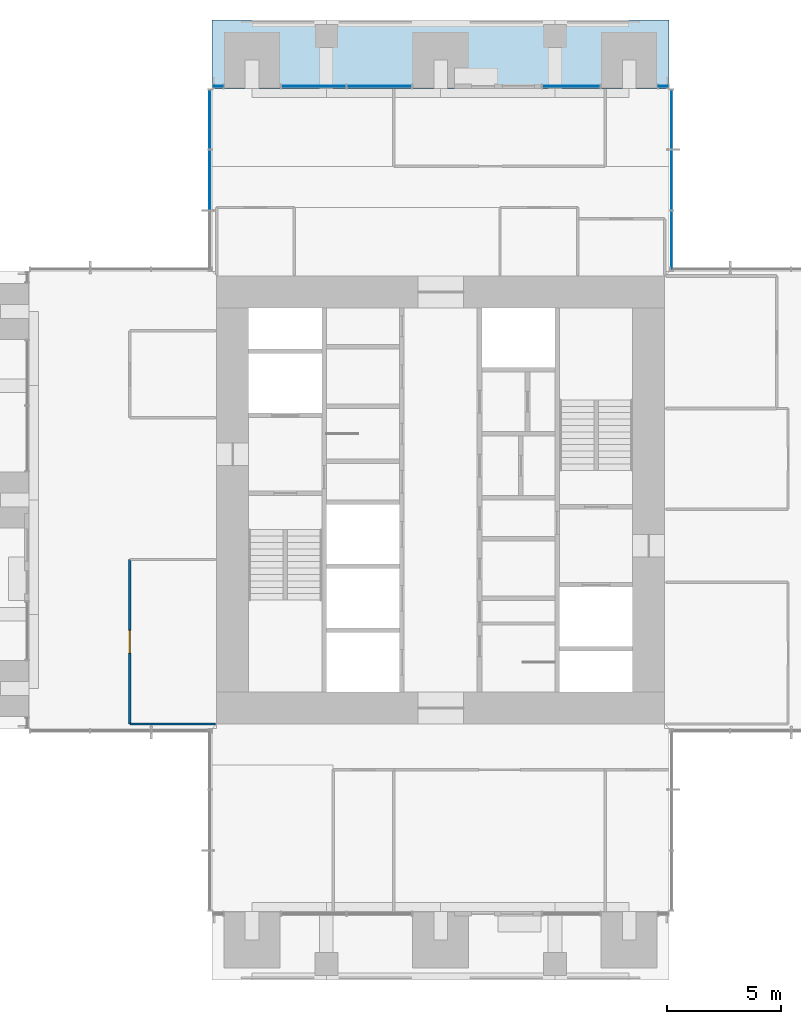
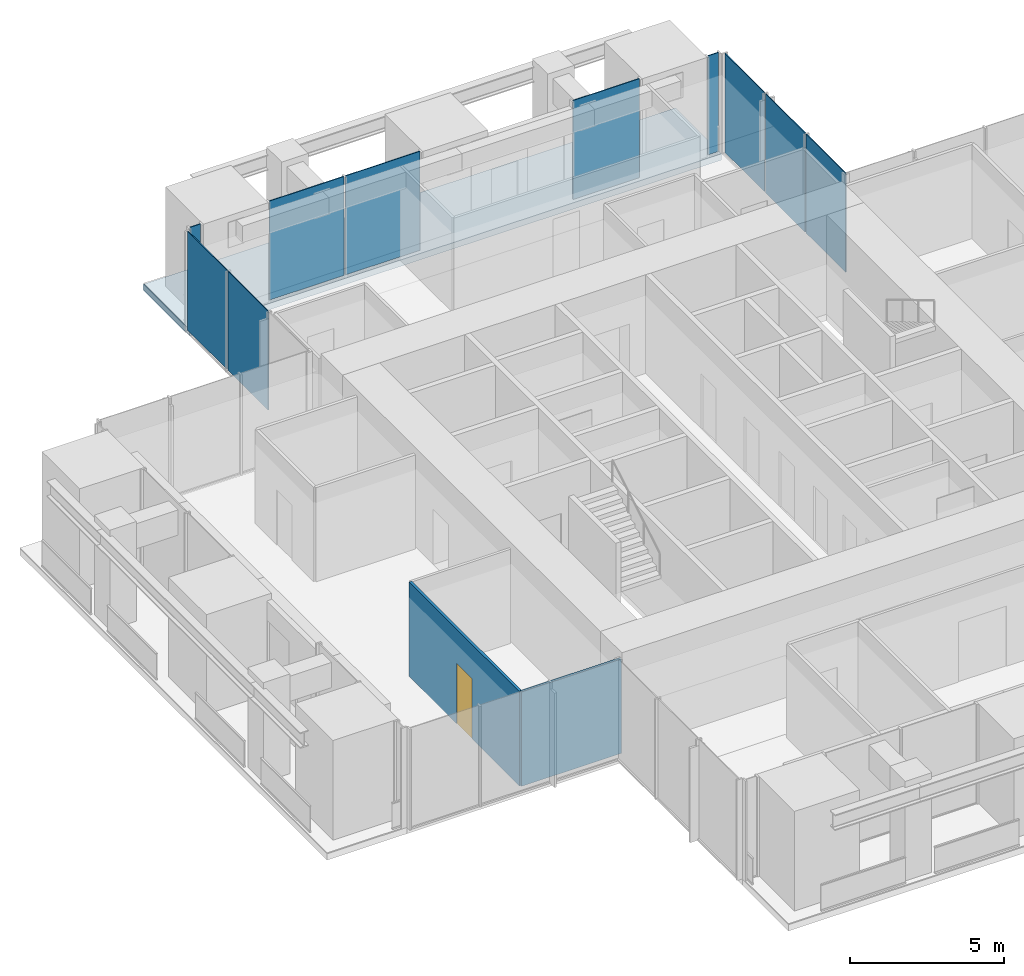
# One storey, part 11 of 17: 10 plates, 2 walls, 1 door, 1 slab, 1 opening, 6 elements without a shape of their own.
"""IFC4 building model written with IfcOpenShell, lengths in metres."""

from ifc_helpers import new_model, si_unit, direction, frame, frame_2d, origin, origin_2d, place, context, subcontext, project, spatial, polyline, rectangle, outline, extrude, material, layer, layer_set, type_object, element, fill, aggregate, save


model = new_model("IFC4")

# Units and contexts
model_context = context("Model", 3, precision=1e-05, world=origin(), true_north=direction((0.0, 1.0)))
body_context = subcontext(model_context, "Body", "Model", "MODEL_VIEW")
ifc_project = project(units=[si_unit("LENGTHUNIT", "METRE"), si_unit("AREAUNIT", "SQUARE_METRE"), si_unit("VOLUMEUNIT", "CUBIC_METRE"), si_unit("PLANEANGLEUNIT", "RADIAN"), si_unit("MASSUNIT", "GRAM", prefix="KILO")], contexts=[model_context])

# Site, building, storey
site_placement = place(None, origin())
site = spatial("IfcSite", under=ifc_project, at=site_placement, CompositionType="ELEMENT")
building_placement = place(site_placement, origin())
building = spatial("IfcBuilding", under=site, at=building_placement, Name="Svetlomir Tower", CompositionType="ELEMENT")
storey_placement = place(building_placement, frame((0.0, 0.0, 170.5)))
storey = spatial("IfcBuildingStorey", under=building, at=storey_placement, Name="L40", CompositionType="ELEMENT", Elevation=170.5)

# Curtain wall, plates
ifc_material_1 = material(Name="Bronze anodised aluminium curtain wall", Category="aluminium")
curtain_wall_type = type_object("IfcCurtainWallType", Name="CURTAIN WALL CW1 TOWER OFFICE", PredefinedType="NOTDEFINED", material=ifc_material_1)
curtain_wall_1_placement = place(storey_placement, origin())
curtain_wall_1 = element("IfcCurtainWall", 1, at=curtain_wall_1_placement, inside=storey, type_object=curtain_wall_type, Name="Curtain wall CW1 L40", PredefinedType="NOTDEFINED")
ifc_material_2 = material(Name="Tinted double glazed unit", Category="glass")
ifc_layer_1 = layer(ifc_material_2, 0.031982421875)
ifc_layer_set_1 = layer_set([ifc_layer_1], Name="Tinted double glazed unit")
plate_type = type_object("IfcPlateType", Name="CW1 GLAZED PANEL 32", PredefinedType="CURTAIN_PANEL", material=ifc_layer_set_1)
plate_1_placement = place(storey_placement, frame((31.10009765625, 32.349609375, 0.06494140625), z_axis=(0.0, 0.0, 1.0), x_axis=(0.0, 1.0, 0.0)))
plate_1 = element("IfcPlate", 2, at=plate_1_placement, type_object=plate_type, Name="CW1 panel 1.1", PredefinedType="CURTAIN_PANEL", context=body_context, shape_type="SweptSolid", body=[
    extrude(rectangle(XDim=2.569091796875, YDim=0.031982421875, at=origin_2d()), origin(), (0.0, 0.0, 1.0), 3.93505859375),
])
plate_2_placement = place(storey_placement, frame((31.10009765625, 35.0, 0.06494140625), z_axis=(0.0, 0.0, 1.0), x_axis=(0.0, 1.0, 0.0)))
plate_2 = element("IfcPlate", 3, at=plate_2_placement, type_object=plate_type, Name="CW1 panel 2.1", PredefinedType="CURTAIN_PANEL", context=body_context, shape_type="SweptSolid", body=[
    extrude(rectangle(XDim=2.6015625, YDim=0.031982421875, at=origin_2d()), origin(), (0.0, 0.0, 1.0), 3.93505859375),
])
plate_3_placement = place(storey_placement, frame((31.10009765625, 37.650390625, 0.06494140625), z_axis=(0.0, 0.0, 1.0), x_axis=(0.0, 1.0, 0.0)))
plate_3 = element("IfcPlate", 4, at=plate_3_placement, type_object=plate_type, Name="CW1 panel 3.1", PredefinedType="CURTAIN_PANEL", context=body_context, shape_type="SweptSolid", body=[
    extrude(rectangle(XDim=2.569091796875, YDim=0.031982421875, at=origin_2d()), origin(), (0.0, 0.0, 1.0), 3.93505859375),
])
aggregate(curtain_wall_1, [plate_1, plate_2, plate_3])

# Curtain wall, plate
curtain_wall_2_placement = place(storey_placement, origin())
curtain_wall_2 = element("IfcCurtainWall", 5, at=curtain_wall_2_placement, inside=storey, type_object=curtain_wall_type, Name="Curtain wall CW1 L40", PredefinedType="NOTDEFINED")
plate_4_placement = place(storey_placement, frame((30.737548828125, 39.10009765625, 0.06494140625), z_axis=(0.0, 0.0, 1.0), x_axis=(-1.0, 0.0, 0.0)))
plate_4 = element("IfcPlate", 6, at=plate_4_placement, type_object=plate_type, Name="CW1 panel 1.1", PredefinedType="CURTAIN_PANEL", context=body_context, shape_type="SweptSolid", body=[
    extrude(rectangle(XDim=0.39501953125, YDim=0.031982421875, at=origin_2d()), origin(), (0.0, 0.0, 1.0), 3.93505859375),
])
aggregate(curtain_wall_2, [plate_4])

curtain_wall_3_placement = place(storey_placement, origin())
curtain_wall_3 = element("IfcCurtainWall", 7, at=curtain_wall_3_placement, inside=storey, type_object=curtain_wall_type, Name="Curtain wall CW1 L40", PredefinedType="NOTDEFINED")
plate_5_placement = place(storey_placement, frame((26.71240234375, 39.10009765625, 0.06494140625), z_axis=(0.0, 0.0, 1.0), x_axis=(-1.0, 0.0, 0.0)))
plate_5 = element("IfcPlate", 8, at=plate_5_placement, type_object=plate_type, Name="CW1 panel 1.1", PredefinedType="CURTAIN_PANEL", context=body_context, shape_type="SweptSolid", body=[
    extrude(rectangle(XDim=2.4951171875, YDim=0.031982421875, at=origin_2d()), origin(), (0.0, 0.0, 1.0), 3.93505859375),
])
aggregate(curtain_wall_3, [plate_5])

# Curtain wall, plates
curtain_wall_4_placement = place(storey_placement, origin())
curtain_wall_4 = element("IfcCurtainWall", 9, at=curtain_wall_4_placement, inside=storey, type_object=curtain_wall_type, Name="Curtain wall CW1 L40", PredefinedType="NOTDEFINED")
plate_6_placement = place(storey_placement, frame((18.308837890625, 39.10009765625, 0.06494140625), z_axis=(0.0, 0.0, 1.0), x_axis=(-1.0, 0.0, 0.0)))
plate_6 = element("IfcPlate", 10, at=plate_6_placement, type_object=plate_type, Name="CW1 panel 1.1", PredefinedType="CURTAIN_PANEL", context=body_context, shape_type="SweptSolid", body=[
    extrude(rectangle(XDim=2.802490234375, YDim=0.031982421875, at=origin_2d()), origin(), (0.0, 0.0, 1.0), 3.93505859375),
])
plate_7_placement = place(storey_placement, frame((15.441162109375, 39.10009765625, 0.06494140625), z_axis=(0.0, 0.0, 1.0), x_axis=(-1.0, 0.0, 0.0)))
plate_7 = element("IfcPlate", 11, at=plate_7_placement, type_object=plate_type, Name="CW1 panel 2.1", PredefinedType="CURTAIN_PANEL", context=body_context, shape_type="SweptSolid", body=[
    extrude(rectangle(XDim=2.802490234375, YDim=0.031982421875, at=origin_2d()), origin(), (0.0, 0.0, 1.0), 3.93505859375),
])
aggregate(curtain_wall_4, [plate_6, plate_7])

# Curtain wall, plate
curtain_wall_5_placement = place(storey_placement, origin())
curtain_wall_5 = element("IfcCurtainWall", 12, at=curtain_wall_5_placement, inside=storey, type_object=curtain_wall_type, Name="Curtain wall CW1 L40", PredefinedType="NOTDEFINED")
plate_8_placement = place(storey_placement, frame((11.262451171875, 39.10009765625, 0.06494140625), z_axis=(0.0, 0.0, 1.0), x_axis=(-1.0, 0.0, 0.0)))
plate_8 = element("IfcPlate", 13, at=plate_8_placement, type_object=plate_type, Name="CW1 panel 1.1", PredefinedType="CURTAIN_PANEL", context=body_context, shape_type="SweptSolid", body=[
    extrude(rectangle(XDim=0.39501953125, YDim=0.031982421875, at=origin_2d()), origin(), (0.0, 0.0, 1.0), 3.93505859375),
])
aggregate(curtain_wall_5, [plate_8])

# Curtain wall, plates
curtain_wall_6_placement = place(storey_placement, origin())
curtain_wall_6 = element("IfcCurtainWall", 14, at=curtain_wall_6_placement, inside=storey, type_object=curtain_wall_type, Name="Curtain wall CW1 L40", PredefinedType="NOTDEFINED")
plate_9_placement = place(storey_placement, frame((10.89990234375, 37.650390625, 0.06494140625), z_axis=(0.0, 0.0, 1.0), x_axis=(0.0, -1.0, 0.0)))
plate_9 = element("IfcPlate", 15, at=plate_9_placement, type_object=plate_type, Name="CW1 panel 1.1", PredefinedType="CURTAIN_PANEL", context=body_context, shape_type="SweptSolid", body=[
    extrude(rectangle(XDim=2.569091796875, YDim=0.031982421875, at=origin_2d()), origin(), (0.0, 0.0, 1.0), 3.93505859375),
])
plate_10_placement = place(storey_placement, frame((10.89990234375, 35.0, 0.06494140625), z_axis=(0.0, 0.0, 1.0), x_axis=(0.0, -1.0, 0.0)))
plate_10 = element("IfcPlate", 16, at=plate_10_placement, type_object=plate_type, Name="CW1 panel 2.1", PredefinedType="CURTAIN_PANEL", context=body_context, shape_type="SweptSolid", body=[
    extrude(rectangle(XDim=2.6015625, YDim=0.031982421875, at=origin_2d()), origin(), (0.0, 0.0, 1.0), 3.93505859375),
])
aggregate(curtain_wall_6, [plate_9, plate_10])

# Slab
ifc_material_3 = material(Name="Concrete C60/75", Category="concrete")
ifc_layer_2 = layer(ifc_material_3, 0.25)
ifc_layer_set_2 = layer_set([ifc_layer_2], Name="Concrete C60/75")
slab_type = type_object("IfcSlabType", Name="PLANTED LOGGIA SLAB 250", PredefinedType="FLOOR", material=ifc_layer_set_2)
slab_placement = place(storey_placement, frame((0.0, 0.0, -0.25)))
element("IfcSlab", 17, at=slab_placement, inside=storey, type_object=slab_type, Name="L40 N planted loggia", PredefinedType="FLOOR", context=body_context, shape_type="SweptSolid", body=[
    extrude(outline(polyline([(11.0, 39.0), (31.0, 39.0), (31.0, 42.0), (11.0, 42.0), (11.0, 39.0)])), origin(), (0.0, 0.0, 1.0), 0.25),
])

# Wall, opening, door
ifc_material_4 = material(Name="Framed laminated glass partition", Category="glass")
ifc_layer_3 = layer(ifc_material_4, 0.10009765625)
ifc_layer_set_3 = layer_set([ifc_layer_3], Name="Framed laminated glass partition")
wall_type = type_object("IfcWallType", Name="GLAZED PARTITION 100", PredefinedType="PARTITIONING", material=ifc_layer_set_3)
wall_1_placement = place(storey_placement, frame((7.39990234375, 11.199951171875, 0.0), z_axis=(0.0, 0.0, 1.0), x_axis=(0.0, 1.0, 0.0)))
wall_1 = element("IfcWall", 18, at=wall_1_placement, inside=storey, type_object=wall_type, Name="Glazed partition L40", PredefinedType="PARTITIONING", context=body_context, shape_type="SweptSolid", body=[
    extrude(rectangle(XDim=7.199951171875, YDim=0.10009765625, at=frame_2d((3.60009765625, 0.0))), origin(), (0.0, 0.0, 1.0), 3.75),
])
opening_placement = place(wall_1_placement, frame((3.10009765625, 0.0, 0.0)))
opening = element("IfcOpeningElement", 19, at=opening_placement, cuts=wall_1, Name="Opening DG", PredefinedType="OPENING", context=body_context, shape_type="SweptSolid", body=[
    extrude(rectangle(XDim=1.0, YDim=2.39990234375, at=frame_2d((0.5, 1.199951171875))), frame((0.0, 0.06005859375, 0.0), z_axis=(0.0, -1.0, 0.0), x_axis=(1.0, 0.0, 0.0)), (0.0, 0.0, 1.0), 0.1201171875),
])
ifc_material_5 = material(Name="Framed laminated glass door", Category="glass")
door_type = type_object("IfcDoorType", Name="GLAZED DOOR DG 1000x2400", OperationType="SINGLE_SWING_LEFT", PredefinedType="DOOR", material=ifc_material_5)
door_placement = place(opening_placement, origin())
door = element("IfcDoor", 20, at=door_placement, inside=storey, type_object=door_type, Name="Team room, 10 seats door L40", OperationType="SINGLE_SWING_LEFT", OverallHeight=2.39990234375, OverallWidth=1.0, PredefinedType="DOOR", context=body_context, shape_type="SweptSolid", body=[
    extrude(rectangle(XDim=1.0, YDim=2.39990234375, at=frame_2d((0.5, 1.199951171875))), frame((0.0, 0.02490234375, 0.0), z_axis=(0.0, -1.0, 0.0), x_axis=(1.0, 0.0, 0.0)), (0.0, 0.0, 1.0), 0.050048828125),
])
fill(opening, door)

# Wall
wall_2_placement = place(storey_placement, frame((7.39990234375, 11.199951171875, 0.0), z_axis=(0.0, 0.0, 1.0), x_axis=(1.0, 0.0, 0.0)))
element("IfcWall", 21, at=wall_2_placement, inside=storey, type_object=wall_type, Name="Glazed partition L40", PredefinedType="PARTITIONING", context=body_context, shape_type="SweptSolid", body=[
    extrude(rectangle(XDim=3.75, YDim=0.10009765625, at=frame_2d((1.875, 0.0))), origin(), (0.0, 0.0, 1.0), 3.75),
])

save(model, "model.ifc")
